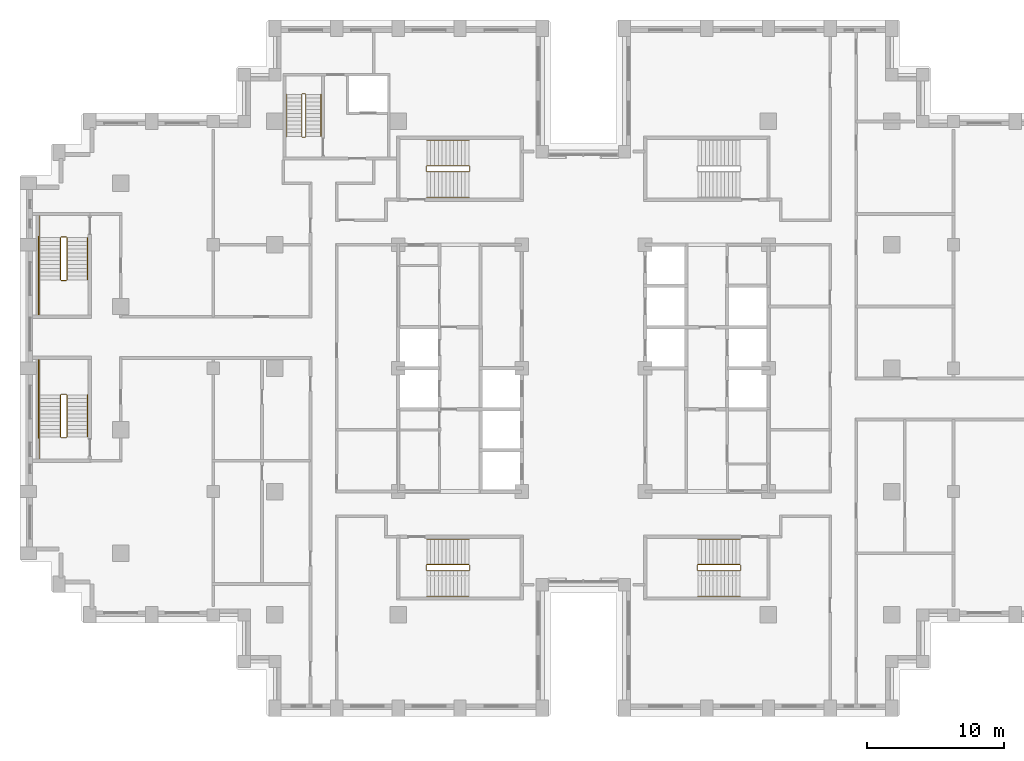
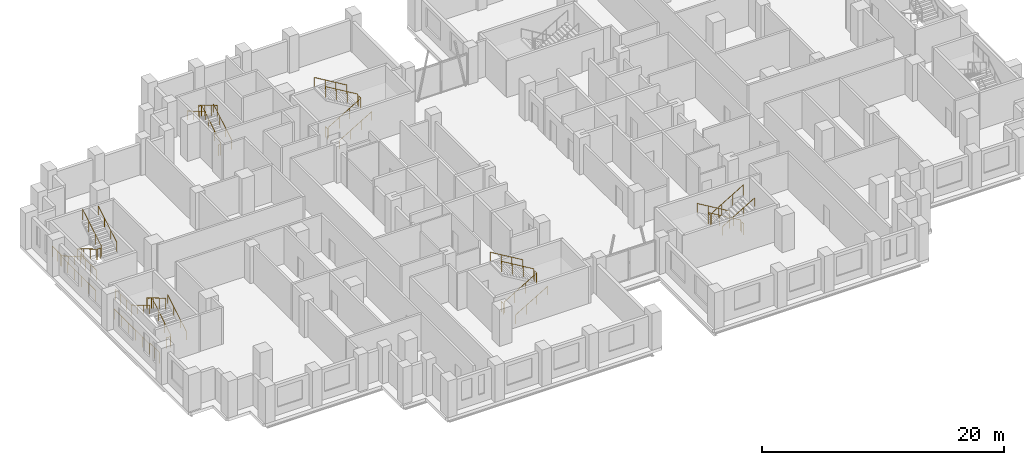
# One storey, part 15 of 16: 6 railings.
"""IFC4 building model written with IfcOpenShell, lengths in metres."""

import ifcopenshell
import ifcopenshell.guid

model = None  # the IFC model being written
_history = None  # IfcOwnerHistory: only IFC2X3 demands one
_inside = {}  # id of a spatial element -> (the spatial element, [elements in it])
_under = {}  # id of a project, library or spatial element -> (it, [spatial elements below it])
_declared = {}  # id of a project -> (the project, [libraries it declares])
_typed = {}  # id of a type object -> (the type object, [elements of that type])
_made_of = {}  # id of a material, layer set ... -> (it, [elements and type objects made of it])


def new_model(schema):
    """Start an empty IFC model of exactly this schema.

    Asked for "IFC4X3", IfcOpenShell would pick the latest addendum, in which some entities
    have other attributes; the version numbers below select the first issue.
    IFC2X3 requires an IfcOwnerHistory on every rooted entity: one is made here for all.
    """
    global model, _history
    if schema == "IFC4X3":
        model = ifcopenshell.file(schema_version=(4, 3, 0, 0))
    else:
        model = ifcopenshell.file(schema=schema)
    _inside.clear()
    _under.clear()
    _declared.clear()
    _typed.clear()
    _made_of.clear()
    _history = None
    if model.schema == "IFC2X3":
        org = make("IfcOrganization", Name="unknown")
        user = make(
            "IfcPersonAndOrganization",
            ThePerson=make("IfcPerson", FamilyName="unknown"),
            TheOrganization=org,
        )
        app = make(
            "IfcApplication",
            ApplicationDeveloper=org,
            Version="unknown",
            ApplicationFullName="unknown",
            ApplicationIdentifier="unknown",
        )
        _history = make(
            "IfcOwnerHistory",
            OwningUser=user,
            OwningApplication=app,
            ChangeAction="ADDED",
            CreationDate=0,
        )
    return model


def make(cls, **values):
    """One entity of the class cls with the attributes given. An attribute that is None is left unset."""
    return model.create_entity(
        cls, **{name: value for name, value in values.items() if value is not None}
    )


def rooted(cls, **values):
    """An entity with a GlobalId (a new one), such as an element, a storey or a relation."""
    return make(cls, GlobalId=ifcopenshell.guid.new(), OwnerHistory=_history, **values)


def si_unit(unit_type, name, prefix=None):
    """IfcSIUnit, for example si_unit("LENGTHUNIT", "METRE", prefix="MILLI")."""
    return make("IfcSIUnit", UnitType=unit_type, Prefix=prefix, Name=name)


def assignment(units):
    """IfcUnitAssignment: the units of a project."""
    return None if units is None else make("IfcUnitAssignment", Units=units)


def point(xyz):
    """IfcCartesianPoint."""
    return None if xyz is None else make("IfcCartesianPoint", Coordinates=xyz)


def direction(xyz):
    """IfcDirection."""
    return None if xyz is None else make("IfcDirection", DirectionRatios=xyz)


def frame(location, z_axis=None, x_axis=None):
    """IfcAxis2Placement3D, a coordinate frame: its origin and axes. An axis left out is left unset."""
    return make(
        "IfcAxis2Placement3D",
        Location=point(location),
        Axis=direction(z_axis),
        RefDirection=direction(x_axis),
    )


def frame_2d(location, x_axis=None):
    """IfcAxis2Placement2D, a coordinate frame in the plane: its origin and x axis."""
    return make(
        "IfcAxis2Placement2D", Location=point(location), RefDirection=direction(x_axis)
    )


def origin():
    """The frame at (0, 0, 0) with its axes left unset."""
    return frame((0.0, 0.0, 0.0))


def origin_2d():
    """The frame at (0, 0) in the plane with its x axis left unset."""
    return frame_2d((0.0, 0.0))


def place(relative_to, where):
    """IfcLocalPlacement: puts the frame where relative to a parent placement (None: the world)."""
    return make(
        "IfcLocalPlacement", PlacementRelTo=relative_to, RelativePlacement=where
    )


def context(
    kind, dimensions, precision=None, world=None, true_north=None, identifier=None
):
    """IfcGeometricRepresentationContext, for example the 3D "Model" context."""
    return make(
        "IfcGeometricRepresentationContext",
        ContextIdentifier=identifier,
        ContextType=kind,
        CoordinateSpaceDimension=dimensions,
        Precision=precision,
        WorldCoordinateSystem=world,
        TrueNorth=true_north,
    )


def subcontext(parent, identifier, kind, view, scale=None):
    """IfcGeometricRepresentationSubContext, for example "Body" below "Model"."""
    return make(
        "IfcGeometricRepresentationSubContext",
        ContextIdentifier=identifier,
        ContextType=kind,
        ParentContext=parent,
        TargetScale=scale,
        TargetView=view,
    )


def project(units=None, contexts=None):
    """IfcProject with its units and contexts."""
    return rooted(
        "IfcProject",
        Name="project",
        RepresentationContexts=contexts,
        UnitsInContext=assignment(units),
    )


def spatial(cls, under=None, at=None, **own):
    """A site, building, storey or space (cls), placed at a placement, below another one or the project."""
    s = rooted(cls, ObjectPlacement=at, **own)
    if under is not None:
        _under.setdefault(under.id(), (under, []))[1].append(s)
    return s


def profile(cls, at=None, kind="AREA", **sizes):
    """A parametric profile (cls). Its sizes go by their IFC names, for example OverallWidth=200.0."""
    return make(cls, ProfileType=kind, Position=at, **sizes)


def circle(**sizes):
    """IfcCircleProfileDef."""
    return profile("IfcCircleProfileDef", **sizes)


def extrude(swept, where, along, depth):
    """IfcExtrudedAreaSolid: the profile swept, set in the frame where, extruded along a direction by depth."""
    return make(
        "IfcExtrudedAreaSolid",
        SweptArea=swept,
        Position=where,
        ExtrudedDirection=direction(along),
        Depth=depth,
    )


def shape(context_of_items, identifier, shape_type, items):
    """IfcShapeRepresentation: the items that make up one representation, for example the "Body"."""
    return make(
        "IfcShapeRepresentation",
        ContextOfItems=context_of_items,
        RepresentationIdentifier=identifier,
        RepresentationType=shape_type,
        Items=items,
    )


def material(Name=None, Category=None):
    """IfcMaterial."""
    return make("IfcMaterial", Name=Name, Category=Category)


def made_of(thing, what):
    """Note that an element or type object is made of a material, layer set ...; save() writes the relation."""
    if what is not None:
        _made_of.setdefault(what.id(), (what, []))[1].append(thing)
    return thing


def type_object(cls, material=None, **own):
    """A type object (cls), such as IfcWallType, which elements share."""
    return made_of(rooted(cls, **own), material)


def element(
    cls,
    number,
    at=None,
    inside=None,
    cuts=None,
    type_object=None,
    material=None,
    context=None,
    identifier="Body",
    shape_type=None,
    held_by="IfcProductDefinitionShape",
    body=None,
    shapes=None,
    **own,
):
    """One element of the class cls, such as IfcWall. Its Tag is "e" and its number.

    at: its placement. inside: the storey or other place that contains it. cuts: it is an
    opening in that element (IfcRelVoidsElement). A single representation is given by context,
    identifier, shape_type and body (its items); several are given by shapes. held_by: the class
    of the entity that holds the representations. save() writes the other relations.
    """
    e = rooted(cls, Tag="e%d" % number, ObjectPlacement=at, **own)
    if body is not None:
        shapes = [shape(context, identifier, shape_type, body)]
    if shapes is not None:
        e.Representation = make(held_by, Representations=shapes)
    if inside is not None:
        _inside.setdefault(inside.id(), (inside, []))[1].append(e)
    if cuts is not None:
        rooted(
            "IfcRelVoidsElement", RelatingBuildingElement=cuts, RelatedOpeningElement=e
        )
    if type_object is not None:
        _typed.setdefault(type_object.id(), (type_object, []))[1].append(e)
    return made_of(e, material)


def aggregate(whole, parts):
    """IfcRelAggregates: a whole, such as a stair, and the parts it consists of."""
    return rooted("IfcRelAggregates", RelatingObject=whole, RelatedObjects=parts)


def save(model, path):
    """Write the relations noted so far, then the file.

    IfcRelAggregates (storeys below a building ...), IfcRelContainedInSpatialStructure (elements
    in a storey), IfcRelDefinesByType, IfcRelAssociatesMaterial and IfcRelDeclares: one each for
    every whole, place, type object, material and project.
    """
    for whole, parts in _under.values():
        aggregate(whole, parts)
    for where, things in _inside.values():
        rooted(
            "IfcRelContainedInSpatialStructure",
            RelatedElements=things,
            RelatingStructure=where,
        )
    for kind, things in _typed.values():
        rooted("IfcRelDefinesByType", RelatedObjects=things, RelatingType=kind)
    for what, things in _made_of.values():
        rooted("IfcRelAssociatesMaterial", RelatedObjects=things, RelatingMaterial=what)
    for by, libraries in _declared.values():
        rooted("IfcRelDeclares", RelatingContext=by, RelatedDefinitions=libraries)
    model.write(path)


model = new_model("IFC4")

# Units and contexts
model_context = context("Model", 3, precision=1e-05, world=origin(), true_north=direction((0.0, 1.0)))
body_context = subcontext(model_context, "Body", "Model", "MODEL_VIEW")
ifc_project = project(units=[si_unit("LENGTHUNIT", "METRE"), si_unit("AREAUNIT", "SQUARE_METRE"), si_unit("VOLUMEUNIT", "CUBIC_METRE"), si_unit("PLANEANGLEUNIT", "RADIAN"), si_unit("MASSUNIT", "GRAM", prefix="KILO")], contexts=[model_context])

# Site, building, storey
site_placement = place(None, origin())
site = spatial("IfcSite", under=ifc_project, at=site_placement, CompositionType="ELEMENT")
building_placement = place(site_placement, origin())
building = spatial("IfcBuilding", under=site, at=building_placement, Name="Corbelhall Arena Tower", CompositionType="ELEMENT")
storey_placement = place(building_placement, frame((0.0, 0.0, 112.0)))
storey = spatial("IfcBuildingStorey", under=building, at=storey_placement, Name="L20", CompositionType="ELEMENT", Elevation=112.0)

# Railings
ifc_material = material(Name="Steel ASTM A500 Gr C", Category="steel")
railing_type = type_object("IfcRailingType", Name="IN-GD-1100", PredefinedType="GUARDRAIL", material=ifc_material)
railing_1_placement = place(storey_placement, frame((-11.425048828125, 14.324951171875, 0.166748046875)))
element("IfcRailing", 1, at=railing_1_placement, inside=storey, type_object=railing_type, Name="L20 ST1 stair guards and handrails", PredefinedType="GUARDRAIL", context=body_context, shape_type="SweptSolid", body=[
    extrude(circle(Radius=0.02392578125, at=origin_2d()), frame((0.0, 0.0, 1.076171875), z_axis=(0.859308565015, 0.0, 0.511457515432), x_axis=(0.0, 1.0, 0.0)), (0.0, 0.0, 1.0), 3.58447265625),
    extrude(circle(Radius=0.02392578125, at=origin_2d()), frame((3.130126953125, 0.050048828125, 2.9091796875), z_axis=(0.0, 1.0, 0.0), x_axis=(-1.0, 0.0, 0.0)), (0.0, 0.0, 1.0), 0.35009765625),
    extrude(circle(Radius=0.02392578125, at=origin_2d()), frame((3.080078125, 0.449951171875, 3.076171875), z_axis=(-0.859308565015, 0.0, 0.511457515432), x_axis=(0.0, -1.0, 0.0)), (0.0, 0.0, 1.0), 3.58447265625),
    extrude(circle(Radius=0.02392578125, at=origin_2d()), frame((-0.050048828125, 0.050048828125, 0.9091796875), z_axis=(0.0, 1.0, 0.0), x_axis=(-1.0, 0.0, 0.0)), (0.0, 0.0, 1.0), 0.35009765625),
    extrude(circle(Radius=0.02392578125, at=origin_2d()), frame((0.0, -1.849853515625, 0.8759765625), z_axis=(0.859308565015, 0.0, 0.511457515432), x_axis=(0.0, 1.0, 0.0)), (0.0, 0.0, 1.0), 3.58447265625),
    extrude(circle(Radius=0.02392578125, at=origin_2d()), frame((3.080078125, 2.300048828125, 2.8759765625), z_axis=(-0.859308565015, 0.0, 0.511457515432), x_axis=(0.0, -1.0, 0.0)), (0.0, 0.0, 1.0), 3.58447265625),
    extrude(circle(Radius=0.02099609375, at=origin_2d()), origin(), (0.0, 0.0, 1.0), 1.052001953125),
    extrude(circle(Radius=0.02099609375, at=origin_2d()), frame((1.026611328125, 0.0, 0.611083984375)), (0.0, 0.0, 1.0), 1.052001953125),
    extrude(circle(Radius=0.02099609375, at=origin_2d()), frame((2.053466796875, 0.0, 1.22216796875)), (0.0, 0.0, 1.0), 1.052001953125),
    extrude(circle(Radius=0.02099609375, at=origin_2d()), frame((3.080078125, 0.0, 1.833251953125)), (0.0, 0.0, 1.0), 1.052001953125),
    extrude(circle(Radius=0.02099609375, at=origin_2d()), frame((3.130126953125, 0.050048828125, 1.833251953125)), (0.0, 0.0, 1.0), 1.052001953125),
    extrude(circle(Radius=0.02099609375, at=origin_2d()), frame((3.130126953125, 0.400146484375, 1.833251953125)), (0.0, 0.0, 1.0), 1.052001953125),
    extrude(circle(Radius=0.02099609375, at=origin_2d()), frame((3.080078125, 0.449951171875, 2.0)), (0.0, 0.0, 1.0), 1.052001953125),
    extrude(circle(Radius=0.02099609375, at=origin_2d()), frame((2.053466796875, 0.449951171875, 2.611083984375)), (0.0, 0.0, 1.0), 1.052001953125),
    extrude(circle(Radius=0.02099609375, at=origin_2d()), frame((1.026611328125, 0.449951171875, 3.22216796875)), (0.0, 0.0, 1.0), 1.052001953125),
    extrude(circle(Radius=0.02099609375, at=origin_2d()), frame((0.0, 0.449951171875, 3.833251953125)), (0.0, 0.0, 1.0), 1.052001953125),
    extrude(circle(Radius=0.02099609375, at=origin_2d()), frame((-0.050048828125, 0.050048828125, -0.166748046875)), (0.0, 0.0, 1.0), 1.052001953125),
    extrude(circle(Radius=0.02099609375, at=origin_2d()), frame((-0.050048828125, 0.400146484375, -0.166748046875)), (0.0, 0.0, 1.0), 1.052001953125),
    extrude(circle(Radius=0.02099609375, at=origin_2d()), frame((0.0, -1.849853515625, 0.0)), (0.0, 0.0, 1.0), 0.851806640625),
    extrude(circle(Radius=0.02099609375, at=origin_2d()), frame((1.026611328125, -1.849853515625, 0.611083984375)), (0.0, 0.0, 1.0), 0.851806640625),
    extrude(circle(Radius=0.02099609375, at=origin_2d()), frame((2.053466796875, -1.849853515625, 1.22216796875)), (0.0, 0.0, 1.0), 0.851806640625),
    extrude(circle(Radius=0.02099609375, at=origin_2d()), frame((3.080078125, -1.849853515625, 1.833251953125)), (0.0, 0.0, 1.0), 0.851806640625),
    extrude(circle(Radius=0.02099609375, at=origin_2d()), frame((3.080078125, 2.300048828125, 2.0)), (0.0, 0.0, 1.0), 0.851806640625),
    extrude(circle(Radius=0.02099609375, at=origin_2d()), frame((2.053466796875, 2.300048828125, 2.611083984375)), (0.0, 0.0, 1.0), 0.851806640625),
    extrude(circle(Radius=0.02099609375, at=origin_2d()), frame((1.026611328125, 2.300048828125, 3.22216796875)), (0.0, 0.0, 1.0), 0.851806640625),
    extrude(circle(Radius=0.02099609375, at=origin_2d()), frame((0.0, 2.300048828125, 3.833251953125)), (0.0, 0.0, 1.0), 0.851806640625),
])
railing_2_placement = place(storey_placement, frame((-11.425048828125, -14.77490234375, 0.166748046875)))
element("IfcRailing", 2, at=railing_2_placement, inside=storey, type_object=railing_type, Name="L20 ST2 stair guards and handrails", PredefinedType="GUARDRAIL", context=body_context, shape_type="SweptSolid", body=[
    extrude(circle(Radius=0.02392578125, at=origin_2d()), frame((0.0, 0.0, 1.076171875), z_axis=(0.859308565015, 0.0, 0.511457515432), x_axis=(0.0, 1.0, 0.0)), (0.0, 0.0, 1.0), 3.58447265625),
    extrude(circle(Radius=0.02392578125, at=origin_2d()), frame((3.130126953125, 0.0498046875, 2.9091796875), z_axis=(0.0, 1.0, 0.0), x_axis=(-1.0, 0.0, 0.0)), (0.0, 0.0, 1.0), 0.35009765625),
    extrude(circle(Radius=0.02392578125, at=origin_2d()), frame((3.080078125, 0.449951171875, 3.076171875), z_axis=(-0.859308565015, 0.0, 0.511457515432), x_axis=(0.0, -1.0, 0.0)), (0.0, 0.0, 1.0), 3.58447265625),
    extrude(circle(Radius=0.02392578125, at=origin_2d()), frame((-0.050048828125, 0.0498046875, 0.9091796875), z_axis=(0.0, 1.0, 0.0), x_axis=(-1.0, 0.0, 0.0)), (0.0, 0.0, 1.0), 0.35009765625),
    extrude(circle(Radius=0.02392578125, at=origin_2d()), frame((0.0, -1.85009765625, 0.8759765625), z_axis=(0.859308565015, 0.0, 0.511457515432), x_axis=(0.0, 1.0, 0.0)), (0.0, 0.0, 1.0), 3.58447265625),
    extrude(circle(Radius=0.02392578125, at=origin_2d()), frame((3.080078125, 2.2998046875, 2.8759765625), z_axis=(-0.859308565015, 0.0, 0.511457515432), x_axis=(0.0, -1.0, 0.0)), (0.0, 0.0, 1.0), 3.58447265625),
    extrude(circle(Radius=0.02099609375, at=origin_2d()), origin(), (0.0, 0.0, 1.0), 1.052001953125),
    extrude(circle(Radius=0.02099609375, at=origin_2d()), frame((1.026611328125, 0.0, 0.611083984375)), (0.0, 0.0, 1.0), 1.052001953125),
    extrude(circle(Radius=0.02099609375, at=origin_2d()), frame((2.053466796875, 0.0, 1.22216796875)), (0.0, 0.0, 1.0), 1.052001953125),
    extrude(circle(Radius=0.02099609375, at=origin_2d()), frame((3.080078125, 0.0, 1.833251953125)), (0.0, 0.0, 1.0), 1.052001953125),
    extrude(circle(Radius=0.02099609375, at=origin_2d()), frame((3.130126953125, 0.0498046875, 1.833251953125)), (0.0, 0.0, 1.0), 1.052001953125),
    extrude(circle(Radius=0.02099609375, at=origin_2d()), frame((3.130126953125, 0.39990234375, 1.833251953125)), (0.0, 0.0, 1.0), 1.052001953125),
    extrude(circle(Radius=0.02099609375, at=origin_2d()), frame((3.080078125, 0.449951171875, 2.0)), (0.0, 0.0, 1.0), 1.052001953125),
    extrude(circle(Radius=0.02099609375, at=origin_2d()), frame((2.053466796875, 0.449951171875, 2.611083984375)), (0.0, 0.0, 1.0), 1.052001953125),
    extrude(circle(Radius=0.02099609375, at=origin_2d()), frame((1.026611328125, 0.449951171875, 3.22216796875)), (0.0, 0.0, 1.0), 1.052001953125),
    extrude(circle(Radius=0.02099609375, at=origin_2d()), frame((0.0, 0.449951171875, 3.833251953125)), (0.0, 0.0, 1.0), 1.052001953125),
    extrude(circle(Radius=0.02099609375, at=origin_2d()), frame((-0.050048828125, 0.0498046875, -0.166748046875)), (0.0, 0.0, 1.0), 1.052001953125),
    extrude(circle(Radius=0.02099609375, at=origin_2d()), frame((-0.050048828125, 0.39990234375, -0.166748046875)), (0.0, 0.0, 1.0), 1.052001953125),
    extrude(circle(Radius=0.02099609375, at=origin_2d()), frame((0.0, -1.85009765625, 0.0)), (0.0, 0.0, 1.0), 0.851806640625),
    extrude(circle(Radius=0.02099609375, at=origin_2d()), frame((1.026611328125, -1.85009765625, 0.611083984375)), (0.0, 0.0, 1.0), 0.851806640625),
    extrude(circle(Radius=0.02099609375, at=origin_2d()), frame((2.053466796875, -1.85009765625, 1.22216796875)), (0.0, 0.0, 1.0), 0.851806640625),
    extrude(circle(Radius=0.02099609375, at=origin_2d()), frame((3.080078125, -1.85009765625, 1.833251953125)), (0.0, 0.0, 1.0), 0.851806640625),
    extrude(circle(Radius=0.02099609375, at=origin_2d()), frame((3.080078125, 2.2998046875, 2.0)), (0.0, 0.0, 1.0), 0.851806640625),
    extrude(circle(Radius=0.02099609375, at=origin_2d()), frame((2.053466796875, 2.2998046875, 2.611083984375)), (0.0, 0.0, 1.0), 0.851806640625),
    extrude(circle(Radius=0.02099609375, at=origin_2d()), frame((1.026611328125, 2.2998046875, 3.22216796875)), (0.0, 0.0, 1.0), 0.851806640625),
    extrude(circle(Radius=0.02099609375, at=origin_2d()), frame((0.0, 2.2998046875, 3.833251953125)), (0.0, 0.0, 1.0), 0.851806640625),
])
railing_3_placement = place(storey_placement, frame((11.425048828125, -14.324951171875, 0.166748046875)))
element("IfcRailing", 3, at=railing_3_placement, inside=storey, type_object=railing_type, Name="L20 ST4 stair guards and handrails", PredefinedType="GUARDRAIL", context=body_context, shape_type="SweptSolid", body=[
    extrude(circle(Radius=0.02392578125, at=origin_2d()), frame((0.0, 0.0, 1.076171875), z_axis=(-0.859308565015, 0.0, 0.511457515432), x_axis=(0.0, -1.0, 0.0)), (0.0, 0.0, 1.0), 3.58447265625),
    extrude(circle(Radius=0.02392578125, at=origin_2d()), frame((-3.130126953125, -0.050048828125, 2.9091796875), z_axis=(0.0, -1.0, 0.0), x_axis=(1.0, 0.0, 0.0)), (0.0, 0.0, 1.0), 0.35009765625),
    extrude(circle(Radius=0.02392578125, at=origin_2d()), frame((-3.080078125, -0.449951171875, 3.076171875), z_axis=(0.859308565015, 0.0, 0.511457515432), x_axis=(0.0, 1.0, 0.0)), (0.0, 0.0, 1.0), 3.58447265625),
    extrude(circle(Radius=0.02392578125, at=origin_2d()), frame((0.050048828125, -0.050048828125, 0.9091796875), z_axis=(0.0, -1.0, 0.0), x_axis=(1.0, 0.0, 0.0)), (0.0, 0.0, 1.0), 0.35009765625),
    extrude(circle(Radius=0.02392578125, at=origin_2d()), frame((0.0, 1.849853515625, 0.8759765625), z_axis=(-0.859308565015, 0.0, 0.511457515432), x_axis=(0.0, -1.0, 0.0)), (0.0, 0.0, 1.0), 3.58447265625),
    extrude(circle(Radius=0.02392578125, at=origin_2d()), frame((-3.080078125, -2.300048828125, 2.8759765625), z_axis=(0.859308565015, 0.0, 0.511457515432), x_axis=(0.0, 1.0, 0.0)), (0.0, 0.0, 1.0), 3.58447265625),
    extrude(circle(Radius=0.02099609375, at=origin_2d()), origin(), (0.0, 0.0, 1.0), 1.052001953125),
    extrude(circle(Radius=0.02099609375, at=origin_2d()), frame((-1.026611328125, 0.0, 0.611083984375)), (0.0, 0.0, 1.0), 1.052001953125),
    extrude(circle(Radius=0.02099609375, at=origin_2d()), frame((-2.053466796875, 0.0, 1.22216796875)), (0.0, 0.0, 1.0), 1.052001953125),
    extrude(circle(Radius=0.02099609375, at=origin_2d()), frame((-3.080078125, 0.0, 1.833251953125)), (0.0, 0.0, 1.0), 1.052001953125),
    extrude(circle(Radius=0.02099609375, at=origin_2d()), frame((-3.130126953125, -0.050048828125, 1.833251953125)), (0.0, 0.0, 1.0), 1.052001953125),
    extrude(circle(Radius=0.02099609375, at=origin_2d()), frame((-3.130126953125, -0.400146484375, 1.833251953125)), (0.0, 0.0, 1.0), 1.052001953125),
    extrude(circle(Radius=0.02099609375, at=origin_2d()), frame((-3.080078125, -0.449951171875, 2.0)), (0.0, 0.0, 1.0), 1.052001953125),
    extrude(circle(Radius=0.02099609375, at=origin_2d()), frame((-2.053466796875, -0.449951171875, 2.611083984375)), (0.0, 0.0, 1.0), 1.052001953125),
    extrude(circle(Radius=0.02099609375, at=origin_2d()), frame((-1.026611328125, -0.449951171875, 3.22216796875)), (0.0, 0.0, 1.0), 1.052001953125),
    extrude(circle(Radius=0.02099609375, at=origin_2d()), frame((0.0, -0.449951171875, 3.833251953125)), (0.0, 0.0, 1.0), 1.052001953125),
    extrude(circle(Radius=0.02099609375, at=origin_2d()), frame((0.050048828125, -0.050048828125, -0.166748046875)), (0.0, 0.0, 1.0), 1.052001953125),
    extrude(circle(Radius=0.02099609375, at=origin_2d()), frame((0.050048828125, -0.400146484375, -0.166748046875)), (0.0, 0.0, 1.0), 1.052001953125),
    extrude(circle(Radius=0.02099609375, at=origin_2d()), frame((0.0, 1.849853515625, 0.0)), (0.0, 0.0, 1.0), 0.851806640625),
    extrude(circle(Radius=0.02099609375, at=origin_2d()), frame((-1.026611328125, 1.849853515625, 0.611083984375)), (0.0, 0.0, 1.0), 0.851806640625),
    extrude(circle(Radius=0.02099609375, at=origin_2d()), frame((-2.053466796875, 1.849853515625, 1.22216796875)), (0.0, 0.0, 1.0), 0.851806640625),
    extrude(circle(Radius=0.02099609375, at=origin_2d()), frame((-3.080078125, 1.849853515625, 1.833251953125)), (0.0, 0.0, 1.0), 0.851806640625),
    extrude(circle(Radius=0.02099609375, at=origin_2d()), frame((-3.080078125, -2.300048828125, 2.0)), (0.0, 0.0, 1.0), 0.851806640625),
    extrude(circle(Radius=0.02099609375, at=origin_2d()), frame((-2.053466796875, -2.300048828125, 2.611083984375)), (0.0, 0.0, 1.0), 0.851806640625),
    extrude(circle(Radius=0.02099609375, at=origin_2d()), frame((-1.026611328125, -2.300048828125, 3.22216796875)), (0.0, 0.0, 1.0), 0.851806640625),
    extrude(circle(Radius=0.02099609375, at=origin_2d()), frame((0.0, -2.300048828125, 3.833251953125)), (0.0, 0.0, 1.0), 0.851806640625),
])
railing_4_placement = place(storey_placement, frame((-38.14990234375, 9.52490234375, 0.166748046875)))
element("IfcRailing", 4, at=railing_4_placement, inside=storey, type_object=railing_type, Name="L20 SC1 stair guards and handrails", PredefinedType="GUARDRAIL", context=body_context, shape_type="SweptSolid", body=[
    extrude(circle(Radius=0.02392578125, at=origin_2d()), frame((0.0, 0.0, 1.076171875), z_axis=(0.0, -0.859290745958, 0.51148745235), x_axis=(1.0, 0.0, 0.0)), (0.0, 0.0, 1.0), 3.584228515625),
    extrude(circle(Radius=0.02392578125, at=origin_2d()), frame((0.0498046875, -3.1298828125, 2.9091796875), z_axis=(1.0, 0.0, 0.0), x_axis=(0.0, 1.0, 0.0)), (0.0, 0.0, 1.0), 0.375),
    extrude(circle(Radius=0.02392578125, at=origin_2d()), frame((-1.5, -3.079833984375, 2.9091796875), z_axis=(0.0, -1.0, 0.0), x_axis=(1.0, 0.0, 0.0)), (0.0, 0.0, 1.0), 2.570068359375),
    extrude(circle(Radius=0.02392578125, at=origin_2d()), frame((0.474853515625, -3.079833984375, 3.076171875), z_axis=(0.0, 0.859290745958, 0.51148745235), x_axis=(-1.0, 0.0, 0.0)), (0.0, 0.0, 1.0), 3.584228515625),
    extrude(circle(Radius=0.02392578125, at=origin_2d()), frame((0.0498046875, 0.050048828125, 0.9091796875), z_axis=(1.0, 0.0, 0.0), x_axis=(0.0, 1.0, 0.0)), (0.0, 0.0, 1.0), 0.375),
    extrude(circle(Radius=0.02392578125, at=origin_2d()), frame((-1.5, 1.60009765625, 0.9091796875), z_axis=(0.0, -1.0, 0.0), x_axis=(1.0, 0.0, 0.0)), (0.0, 0.0, 1.0), 1.60009765625),
    extrude(circle(Radius=0.02392578125, at=origin_2d()), frame((-1.60009765625, 0.10009765625, 0.9091796875), z_axis=(0.0, -1.0, 0.0), x_axis=(1.0, 0.0, 0.0)), (0.0, 0.0, 1.0), 5.85009765625),
    extrude(circle(Radius=0.02392578125, at=origin_2d()), frame((-1.5, 0.0, 0.8759765625), z_axis=(0.0, -0.859290745958, 0.51148745235), x_axis=(1.0, 0.0, 0.0)), (0.0, 0.0, 1.0), 3.584228515625),
    extrude(circle(Radius=0.02392578125, at=origin_2d()), frame((1.974853515625, -3.079833984375, 2.8759765625), z_axis=(0.0, 0.859290745958, 0.51148745235), x_axis=(-1.0, 0.0, 0.0)), (0.0, 0.0, 1.0), 3.584228515625),
    extrude(circle(Radius=0.02099609375, at=origin_2d()), origin(), (0.0, 0.0, 1.0), 1.052001953125),
    extrude(circle(Radius=0.02099609375, at=origin_2d()), frame((0.0, -1.026611328125, 0.611083984375)), (0.0, 0.0, 1.0), 1.052001953125),
    extrude(circle(Radius=0.02099609375, at=origin_2d()), frame((0.0, -2.05322265625, 1.22216796875)), (0.0, 0.0, 1.0), 1.052001953125),
    extrude(circle(Radius=0.02099609375, at=origin_2d()), frame((0.0, -3.079833984375, 1.833251953125)), (0.0, 0.0, 1.0), 1.052001953125),
    extrude(circle(Radius=0.02099609375, at=origin_2d()), frame((0.0498046875, -3.1298828125, 1.833251953125)), (0.0, 0.0, 1.0), 1.052001953125),
    extrude(circle(Radius=0.02099609375, at=origin_2d()), frame((0.4248046875, -3.1298828125, 1.833251953125)), (0.0, 0.0, 1.0), 1.052001953125),
    extrude(circle(Radius=0.02099609375, at=origin_2d()), frame((-1.5, -3.079833984375, 1.833251953125)), (0.0, 0.0, 1.0), 1.052001953125),
    extrude(circle(Radius=0.02099609375, at=origin_2d()), frame((-1.5, -3.9365234375, 1.833251953125)), (0.0, 0.0, 1.0), 1.052001953125),
    extrude(circle(Radius=0.02099609375, at=origin_2d()), frame((-1.5, -4.793212890625, 1.833251953125)), (0.0, 0.0, 1.0), 1.052001953125),
    extrude(circle(Radius=0.02099609375, at=origin_2d()), frame((-1.5, -5.64990234375, 1.833251953125)), (0.0, 0.0, 1.0), 1.052001953125),
    extrude(circle(Radius=0.02099609375, at=origin_2d()), frame((0.474853515625, -3.079833984375, 2.0)), (0.0, 0.0, 1.0), 1.052001953125),
    extrude(circle(Radius=0.02099609375, at=origin_2d()), frame((0.474853515625, -2.05322265625, 2.611083984375)), (0.0, 0.0, 1.0), 1.052001953125),
    extrude(circle(Radius=0.02099609375, at=origin_2d()), frame((0.474853515625, -1.026611328125, 3.22216796875)), (0.0, 0.0, 1.0), 1.052001953125),
    extrude(circle(Radius=0.02099609375, at=origin_2d()), frame((0.474853515625, 0.0, 3.833251953125)), (0.0, 0.0, 1.0), 1.052001953125),
    extrude(circle(Radius=0.02099609375, at=origin_2d()), frame((0.0498046875, 0.050048828125, -0.166748046875)), (0.0, 0.0, 1.0), 1.052001953125),
    extrude(circle(Radius=0.02099609375, at=origin_2d()), frame((0.4248046875, 0.050048828125, -0.166748046875)), (0.0, 0.0, 1.0), 1.052001953125),
    extrude(circle(Radius=0.02099609375, at=origin_2d()), frame((-1.5, 1.60009765625, -0.166748046875)), (0.0, 0.0, 1.0), 1.052001953125),
    extrude(circle(Radius=0.02099609375, at=origin_2d()), frame((-1.5, 0.800048828125, -0.166748046875)), (0.0, 0.0, 1.0), 1.052001953125),
    extrude(circle(Radius=0.02099609375, at=origin_2d()), frame((-1.5, 0.0, -0.166748046875)), (0.0, 0.0, 1.0), 1.052001953125),
    extrude(circle(Radius=0.02099609375, at=origin_2d()), frame((-1.60009765625, 0.10009765625, -0.166748046875)), (0.0, 0.0, 1.0), 1.052001953125),
    extrude(circle(Radius=0.02099609375, at=origin_2d()), frame((-1.60009765625, -1.06982421875, -0.166748046875)), (0.0, 0.0, 1.0), 1.052001953125),
    extrude(circle(Radius=0.02099609375, at=origin_2d()), frame((-1.60009765625, -2.239990234375, -0.166748046875)), (0.0, 0.0, 1.0), 1.052001953125),
    extrude(circle(Radius=0.02099609375, at=origin_2d()), frame((-1.60009765625, -3.409912109375, -0.166748046875)), (0.0, 0.0, 1.0), 1.052001953125),
    extrude(circle(Radius=0.02099609375, at=origin_2d()), frame((-1.60009765625, -4.580078125, -0.166748046875)), (0.0, 0.0, 1.0), 1.052001953125),
    extrude(circle(Radius=0.02099609375, at=origin_2d()), frame((-1.60009765625, -5.75, -0.166748046875)), (0.0, 0.0, 1.0), 1.052001953125),
    extrude(circle(Radius=0.02099609375, at=origin_2d()), frame((-1.5, 0.0, 0.0)), (0.0, 0.0, 1.0), 0.851806640625),
    extrude(circle(Radius=0.02099609375, at=origin_2d()), frame((-1.5, -1.026611328125, 0.611083984375)), (0.0, 0.0, 1.0), 0.851806640625),
    extrude(circle(Radius=0.02099609375, at=origin_2d()), frame((-1.5, -2.05322265625, 1.22216796875)), (0.0, 0.0, 1.0), 0.851806640625),
    extrude(circle(Radius=0.02099609375, at=origin_2d()), frame((1.974853515625, -3.079833984375, 2.0)), (0.0, 0.0, 1.0), 0.851806640625),
    extrude(circle(Radius=0.02099609375, at=origin_2d()), frame((1.974853515625, -2.05322265625, 2.611083984375)), (0.0, 0.0, 1.0), 0.851806640625),
    extrude(circle(Radius=0.02099609375, at=origin_2d()), frame((1.974853515625, -1.026611328125, 3.22216796875)), (0.0, 0.0, 1.0), 0.851806640625),
    extrude(circle(Radius=0.02099609375, at=origin_2d()), frame((1.974853515625, 0.0, 3.833251953125)), (0.0, 0.0, 1.0), 0.851806640625),
])
railing_5_placement = place(storey_placement, frame((-37.675048828125, -5.02490234375, 0.166748046875)))
element("IfcRailing", 5, at=railing_5_placement, inside=storey, type_object=railing_type, Name="L20 SC2 stair guards and handrails", PredefinedType="GUARDRAIL", context=body_context, shape_type="SweptSolid", body=[
    extrude(circle(Radius=0.02392578125, at=origin_2d()), frame((0.0, 0.0, 1.076171875), z_axis=(0.0, 0.859290745958, 0.51148745235), x_axis=(-1.0, 0.0, 0.0)), (0.0, 0.0, 1.0), 3.584228515625),
    extrude(circle(Radius=0.02392578125, at=origin_2d()), frame((-0.050048828125, 3.1298828125, 2.9091796875), z_axis=(-1.0, 0.0, 0.0), x_axis=(0.0, -1.0, 0.0)), (0.0, 0.0, 1.0), 0.375),
    extrude(circle(Radius=0.02392578125, at=origin_2d()), frame((-1.974853515625, 3.079833984375, 2.9091796875), z_axis=(0.0, 1.0, 0.0), x_axis=(-1.0, 0.0, 0.0)), (0.0, 0.0, 1.0), 2.570068359375),
    extrude(circle(Radius=0.02392578125, at=origin_2d()), frame((-0.474853515625, 3.079833984375, 3.076171875), z_axis=(0.0, -0.859290745958, 0.51148745235), x_axis=(1.0, 0.0, 0.0)), (0.0, 0.0, 1.0), 3.584228515625),
    extrude(circle(Radius=0.02392578125, at=origin_2d()), frame((-0.050048828125, -0.050048828125, 0.9091796875), z_axis=(-1.0, 0.0, 0.0), x_axis=(0.0, -1.0, 0.0)), (0.0, 0.0, 1.0), 0.375),
    extrude(circle(Radius=0.02392578125, at=origin_2d()), frame((-1.974853515625, -1.60009765625, 0.9091796875), z_axis=(0.0, 1.0, 0.0), x_axis=(-1.0, 0.0, 0.0)), (0.0, 0.0, 1.0), 1.60009765625),
    extrude(circle(Radius=0.02392578125, at=origin_2d()), frame((-2.074951171875, -0.10009765625, 0.9091796875), z_axis=(0.0, 1.0, 0.0), x_axis=(-1.0, 0.0, 0.0)), (0.0, 0.0, 1.0), 5.85009765625),
    extrude(circle(Radius=0.02392578125, at=origin_2d()), frame((1.5, 0.0, 0.8759765625), z_axis=(0.0, 0.859290745958, 0.51148745235), x_axis=(-1.0, 0.0, 0.0)), (0.0, 0.0, 1.0), 3.584228515625),
    extrude(circle(Radius=0.02392578125, at=origin_2d()), frame((-1.974853515625, 3.079833984375, 2.8759765625), z_axis=(0.0, -0.859290745958, 0.51148745235), x_axis=(1.0, 0.0, 0.0)), (0.0, 0.0, 1.0), 3.584228515625),
    extrude(circle(Radius=0.02099609375, at=origin_2d()), origin(), (0.0, 0.0, 1.0), 1.052001953125),
    extrude(circle(Radius=0.02099609375, at=origin_2d()), frame((0.0, 1.026611328125, 0.611083984375)), (0.0, 0.0, 1.0), 1.052001953125),
    extrude(circle(Radius=0.02099609375, at=origin_2d()), frame((0.0, 2.05322265625, 1.22216796875)), (0.0, 0.0, 1.0), 1.052001953125),
    extrude(circle(Radius=0.02099609375, at=origin_2d()), frame((0.0, 3.079833984375, 1.833251953125)), (0.0, 0.0, 1.0), 1.052001953125),
    extrude(circle(Radius=0.02099609375, at=origin_2d()), frame((-0.050048828125, 3.1298828125, 1.833251953125)), (0.0, 0.0, 1.0), 1.052001953125),
    extrude(circle(Radius=0.02099609375, at=origin_2d()), frame((-0.425048828125, 3.1298828125, 1.833251953125)), (0.0, 0.0, 1.0), 1.052001953125),
    extrude(circle(Radius=0.02099609375, at=origin_2d()), frame((-1.974853515625, 3.079833984375, 1.833251953125)), (0.0, 0.0, 1.0), 1.052001953125),
    extrude(circle(Radius=0.02099609375, at=origin_2d()), frame((-1.974853515625, 3.9365234375, 1.833251953125)), (0.0, 0.0, 1.0), 1.052001953125),
    extrude(circle(Radius=0.02099609375, at=origin_2d()), frame((-1.974853515625, 4.793212890625, 1.833251953125)), (0.0, 0.0, 1.0), 1.052001953125),
    extrude(circle(Radius=0.02099609375, at=origin_2d()), frame((-1.974853515625, 5.64990234375, 1.833251953125)), (0.0, 0.0, 1.0), 1.052001953125),
    extrude(circle(Radius=0.02099609375, at=origin_2d()), frame((-0.474853515625, 3.079833984375, 2.0)), (0.0, 0.0, 1.0), 1.052001953125),
    extrude(circle(Radius=0.02099609375, at=origin_2d()), frame((-0.474853515625, 2.05322265625, 2.611083984375)), (0.0, 0.0, 1.0), 1.052001953125),
    extrude(circle(Radius=0.02099609375, at=origin_2d()), frame((-0.474853515625, 1.026611328125, 3.22216796875)), (0.0, 0.0, 1.0), 1.052001953125),
    extrude(circle(Radius=0.02099609375, at=origin_2d()), frame((-0.474853515625, 0.0, 3.833251953125)), (0.0, 0.0, 1.0), 1.052001953125),
    extrude(circle(Radius=0.02099609375, at=origin_2d()), frame((-0.050048828125, -0.050048828125, -0.166748046875)), (0.0, 0.0, 1.0), 1.052001953125),
    extrude(circle(Radius=0.02099609375, at=origin_2d()), frame((-0.425048828125, -0.050048828125, -0.166748046875)), (0.0, 0.0, 1.0), 1.052001953125),
    extrude(circle(Radius=0.02099609375, at=origin_2d()), frame((-1.974853515625, -1.60009765625, -0.166748046875)), (0.0, 0.0, 1.0), 1.052001953125),
    extrude(circle(Radius=0.02099609375, at=origin_2d()), frame((-1.974853515625, -0.800048828125, -0.166748046875)), (0.0, 0.0, 1.0), 1.052001953125),
    extrude(circle(Radius=0.02099609375, at=origin_2d()), frame((-1.974853515625, 0.0, -0.166748046875)), (0.0, 0.0, 1.0), 1.052001953125),
    extrude(circle(Radius=0.02099609375, at=origin_2d()), frame((-2.074951171875, -0.10009765625, -0.166748046875)), (0.0, 0.0, 1.0), 1.052001953125),
    extrude(circle(Radius=0.02099609375, at=origin_2d()), frame((-2.074951171875, 1.06982421875, -0.166748046875)), (0.0, 0.0, 1.0), 1.052001953125),
    extrude(circle(Radius=0.02099609375, at=origin_2d()), frame((-2.074951171875, 2.239990234375, -0.166748046875)), (0.0, 0.0, 1.0), 1.052001953125),
    extrude(circle(Radius=0.02099609375, at=origin_2d()), frame((-2.074951171875, 3.409912109375, -0.166748046875)), (0.0, 0.0, 1.0), 1.052001953125),
    extrude(circle(Radius=0.02099609375, at=origin_2d()), frame((-2.074951171875, 4.580078125, -0.166748046875)), (0.0, 0.0, 1.0), 1.052001953125),
    extrude(circle(Radius=0.02099609375, at=origin_2d()), frame((-2.074951171875, 5.75, -0.166748046875)), (0.0, 0.0, 1.0), 1.052001953125),
    extrude(circle(Radius=0.02099609375, at=origin_2d()), frame((1.5, 0.0, 0.0)), (0.0, 0.0, 1.0), 0.851806640625),
    extrude(circle(Radius=0.02099609375, at=origin_2d()), frame((1.5, 1.026611328125, 0.611083984375)), (0.0, 0.0, 1.0), 0.851806640625),
    extrude(circle(Radius=0.02099609375, at=origin_2d()), frame((1.5, 2.05322265625, 1.22216796875)), (0.0, 0.0, 1.0), 0.851806640625),
    extrude(circle(Radius=0.02099609375, at=origin_2d()), frame((1.5, 3.079833984375, 1.833251953125)), (0.0, 0.0, 1.0), 0.851806640625),
    extrude(circle(Radius=0.02099609375, at=origin_2d()), frame((-1.974853515625, 3.079833984375, 2.0)), (0.0, 0.0, 1.0), 0.851806640625),
    extrude(circle(Radius=0.02099609375, at=origin_2d()), frame((-1.974853515625, 2.05322265625, 2.611083984375)), (0.0, 0.0, 1.0), 0.851806640625),
    extrude(circle(Radius=0.02099609375, at=origin_2d()), frame((-1.974853515625, 1.026611328125, 3.22216796875)), (0.0, 0.0, 1.0), 0.851806640625),
    extrude(circle(Radius=0.02099609375, at=origin_2d()), frame((-1.974853515625, 0.0, 3.833251953125)), (0.0, 0.0, 1.0), 0.851806640625),
])
railing_6_placement = place(storey_placement, frame((-20.2451171875, 16.89990234375, 0.166748046875)))
element("IfcRailing", 6, at=railing_6_placement, inside=storey, type_object=railing_type, Name="L20 ST5 stair guards and handrails", PredefinedType="GUARDRAIL", context=body_context, shape_type="SweptSolid", body=[
    extrude(circle(Radius=0.02392578125, at=origin_2d()), frame((0.0, 0.0, 1.076171875), z_axis=(0.0, 0.859308565015, 0.511457515432), x_axis=(-1.0, 0.0, 0.0)), (0.0, 0.0, 1.0), 3.58447265625),
    extrude(circle(Radius=0.02392578125, at=origin_2d()), frame((-0.0498046875, 3.130126953125, 2.9091796875), z_axis=(-1.0, 0.0, 0.0), x_axis=(0.0, -1.0, 0.0)), (0.0, 0.0, 1.0), 0.2001953125),
    extrude(circle(Radius=0.02392578125, at=origin_2d()), frame((-0.2998046875, 3.080078125, 3.076171875), z_axis=(0.0, -0.859308565015, 0.511457515432), x_axis=(1.0, 0.0, 0.0)), (0.0, 0.0, 1.0), 3.58447265625),
    extrude(circle(Radius=0.02392578125, at=origin_2d()), frame((-0.0498046875, -0.0498046875, 0.9091796875), z_axis=(-1.0, 0.0, 0.0), x_axis=(0.0, -1.0, 0.0)), (0.0, 0.0, 1.0), 0.2001953125),
    extrude(circle(Radius=0.02392578125, at=origin_2d()), frame((1.10009765625, 0.0, 0.8759765625), z_axis=(0.0, 0.859308565015, 0.511457515432), x_axis=(-1.0, 0.0, 0.0)), (0.0, 0.0, 1.0), 3.58447265625),
    extrude(circle(Radius=0.02392578125, at=origin_2d()), frame((-1.39990234375, 3.080078125, 2.8759765625), z_axis=(0.0, -0.859308565015, 0.511457515432), x_axis=(1.0, 0.0, 0.0)), (0.0, 0.0, 1.0), 3.58447265625),
    extrude(circle(Radius=0.02099609375, at=origin_2d()), origin(), (0.0, 0.0, 1.0), 1.052001953125),
    extrude(circle(Radius=0.02099609375, at=origin_2d()), frame((0.0, 1.026611328125, 0.611083984375)), (0.0, 0.0, 1.0), 1.052001953125),
    extrude(circle(Radius=0.02099609375, at=origin_2d()), frame((0.0, 2.053466796875, 1.22216796875)), (0.0, 0.0, 1.0), 1.052001953125),
    extrude(circle(Radius=0.02099609375, at=origin_2d()), frame((0.0, 3.080078125, 1.833251953125)), (0.0, 0.0, 1.0), 1.052001953125),
    extrude(circle(Radius=0.02099609375, at=origin_2d()), frame((-0.0498046875, 3.130126953125, 1.833251953125)), (0.0, 0.0, 1.0), 1.052001953125),
    extrude(circle(Radius=0.02099609375, at=origin_2d()), frame((-0.25, 3.130126953125, 1.833251953125)), (0.0, 0.0, 1.0), 1.052001953125),
    extrude(circle(Radius=0.02099609375, at=origin_2d()), frame((-0.2998046875, 3.080078125, 2.0)), (0.0, 0.0, 1.0), 1.052001953125),
    extrude(circle(Radius=0.02099609375, at=origin_2d()), frame((-0.2998046875, 2.053466796875, 2.611083984375)), (0.0, 0.0, 1.0), 1.052001953125),
    extrude(circle(Radius=0.02099609375, at=origin_2d()), frame((-0.2998046875, 1.026611328125, 3.22216796875)), (0.0, 0.0, 1.0), 1.052001953125),
    extrude(circle(Radius=0.02099609375, at=origin_2d()), frame((-0.2998046875, 0.0, 3.833251953125)), (0.0, 0.0, 1.0), 1.052001953125),
    extrude(circle(Radius=0.02099609375, at=origin_2d()), frame((-0.0498046875, -0.0498046875, -0.166748046875)), (0.0, 0.0, 1.0), 1.052001953125),
    extrude(circle(Radius=0.02099609375, at=origin_2d()), frame((-0.25, -0.0498046875, -0.166748046875)), (0.0, 0.0, 1.0), 1.052001953125),
    extrude(circle(Radius=0.02099609375, at=origin_2d()), frame((1.10009765625, 0.0, 0.0)), (0.0, 0.0, 1.0), 0.851806640625),
    extrude(circle(Radius=0.02099609375, at=origin_2d()), frame((1.10009765625, 1.026611328125, 0.611083984375)), (0.0, 0.0, 1.0), 0.851806640625),
    extrude(circle(Radius=0.02099609375, at=origin_2d()), frame((1.10009765625, 2.053466796875, 1.22216796875)), (0.0, 0.0, 1.0), 0.851806640625),
    extrude(circle(Radius=0.02099609375, at=origin_2d()), frame((1.10009765625, 3.080078125, 1.833251953125)), (0.0, 0.0, 1.0), 0.851806640625),
    extrude(circle(Radius=0.02099609375, at=origin_2d()), frame((-1.39990234375, 3.080078125, 2.0)), (0.0, 0.0, 1.0), 0.851806640625),
    extrude(circle(Radius=0.02099609375, at=origin_2d()), frame((-1.39990234375, 2.053466796875, 2.611083984375)), (0.0, 0.0, 1.0), 0.851806640625),
    extrude(circle(Radius=0.02099609375, at=origin_2d()), frame((-1.39990234375, 1.026611328125, 3.22216796875)), (0.0, 0.0, 1.0), 0.851806640625),
    extrude(circle(Radius=0.02099609375, at=origin_2d()), frame((-1.39990234375, 0.0, 3.833251953125)), (0.0, 0.0, 1.0), 0.851806640625),
])

save(model, "model.ifc")
